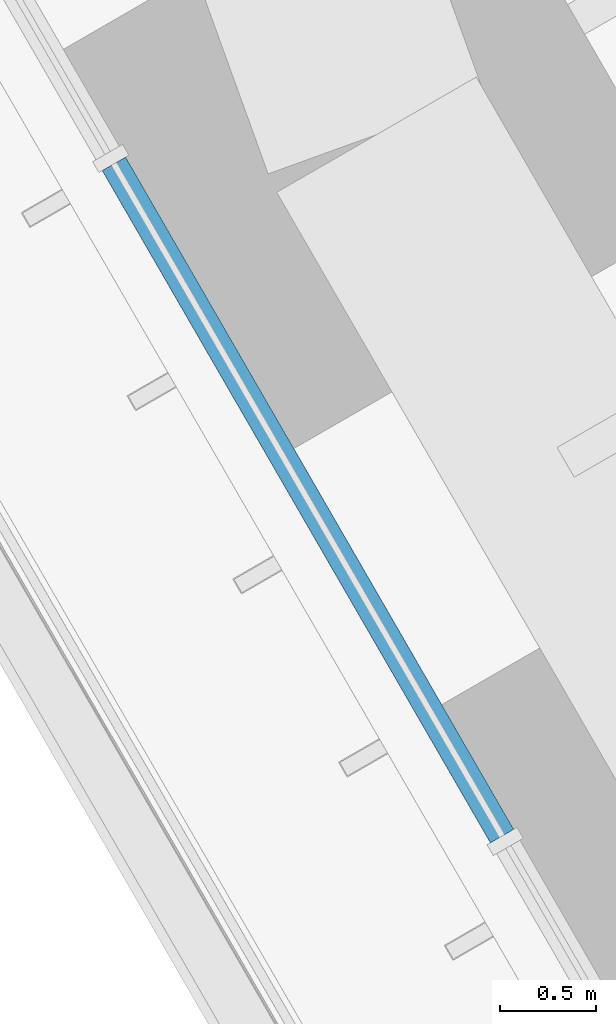
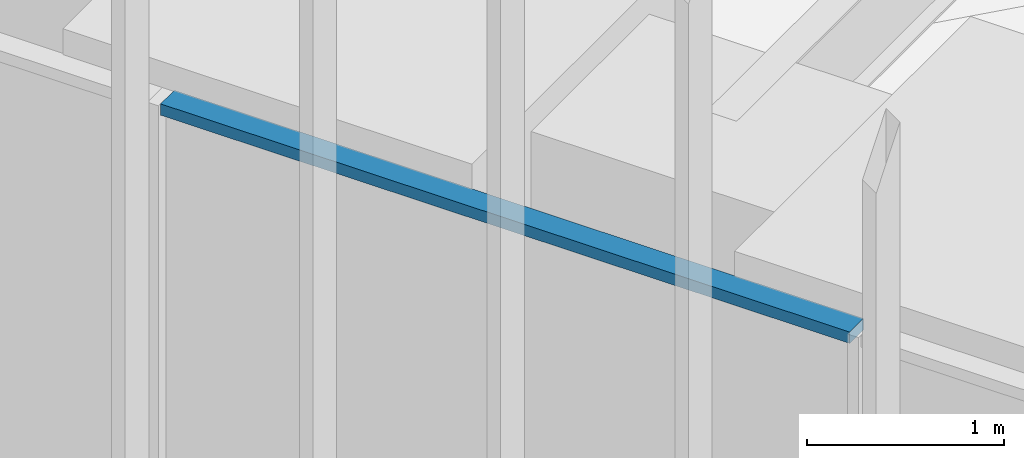
# One storey, part 53 of 238: 1 member, 1 element without a shape of its own.
"""IFC4 building model written with IfcOpenShell, lengths in metres."""

from ifc_helpers import new_model, si_unit, direction, frame, origin, origin_2d, place, context, subcontext, project, spatial, rectangle, extrude, material, material_profile, profile_set, type_object, element, aggregate, save


model = new_model("IFC4")

# Units and contexts
model_context = context("Model", 3, precision=1e-05, world=origin(), true_north=direction((0.0, 1.0)))
body_context = subcontext(model_context, "Body", "Model", "MODEL_VIEW")
ifc_project = project(units=[si_unit("LENGTHUNIT", "METRE"), si_unit("AREAUNIT", "SQUARE_METRE"), si_unit("VOLUMEUNIT", "CUBIC_METRE"), si_unit("PLANEANGLEUNIT", "RADIAN"), si_unit("MASSUNIT", "GRAM", prefix="KILO")], contexts=[model_context])

# Site, building, storey
site_placement = place(None, origin())
site = spatial("IfcSite", under=ifc_project, at=site_placement, CompositionType="ELEMENT")
building_placement = place(site_placement, origin())
building = spatial("IfcBuilding", under=site, at=building_placement, Name="Sandreach Pilgrim Tower", CompositionType="ELEMENT")
storey_placement = place(building_placement, frame((0.0, 0.0, 96.800048828125)))
storey = spatial("IfcBuildingStorey", under=building, at=storey_placement, Name="L23", CompositionType="ELEMENT", Elevation=96.800048828125)

# Curtain wall, member
ifc_material_1 = material(Name="Aluminium framed curtain wall", Category="aluminium")
curtain_wall_type = type_object("IfcCurtainWallType", Name="Hotel tower curtain wall", PredefinedType="NOTDEFINED", material=ifc_material_1)
curtain_wall_placement = place(storey_placement, origin())
curtain_wall = element("IfcCurtainWall", 1, at=curtain_wall_placement, inside=storey, type_object=curtain_wall_type, Name="CW-2 L23 SW", PredefinedType="NOTDEFINED")
ifc_material_2 = material(Name="Aluminium extrusion", Category="aluminium")
ifc_material_profile = material_profile(ifc_material_2, rectangle(XDim=0.139892578125, YDim=0.070068359375, at=origin_2d()), Name="CW-2T 140X70")
ifc_profile_set = profile_set([ifc_material_profile], Name="Aluminium extrusion")
member_type = type_object("IfcMemberType", Name="CW-2 transom", PredefinedType="USERDEFINED", material=ifc_profile_set)
member_placement = place(storey_placement, frame((-24.630126953125, -2.326904296875, 3.60498046875), z_axis=(-0.499997818338, 0.866026663364, 0.0), x_axis=(-0.866026663364, -0.499997818338, 0.0)))
member = element("IfcMember", 2, at=member_placement, type_object=member_type, Name="CW-2 head transom 8", ObjectType="TRANSOM", PredefinedType="USERDEFINED", context=body_context, shape_type="SweptSolid", body=[
    extrude(rectangle(XDim=0.139892578125, YDim=0.070068359375, at=origin_2d()), origin(), (0.0, 0.0, 1.0), 4.0419921875),
])
aggregate(curtain_wall, [member])

save(model, "model.ifc")
